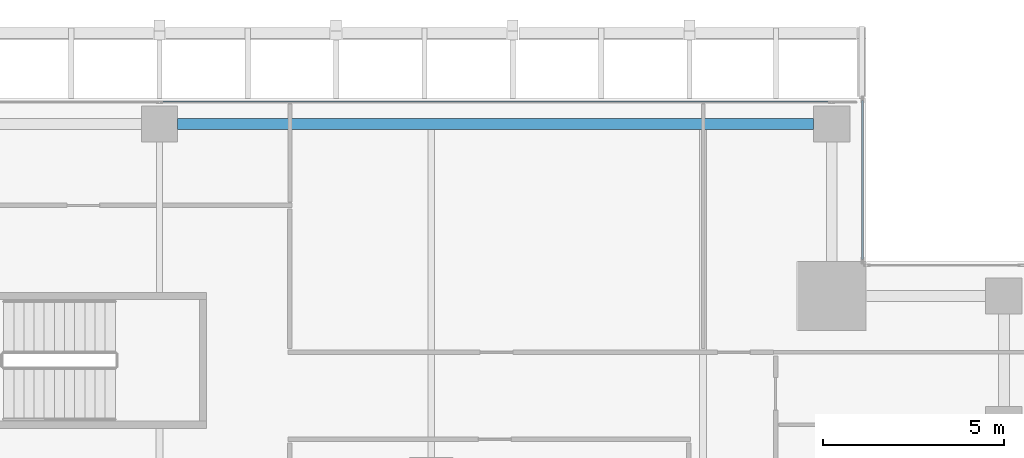
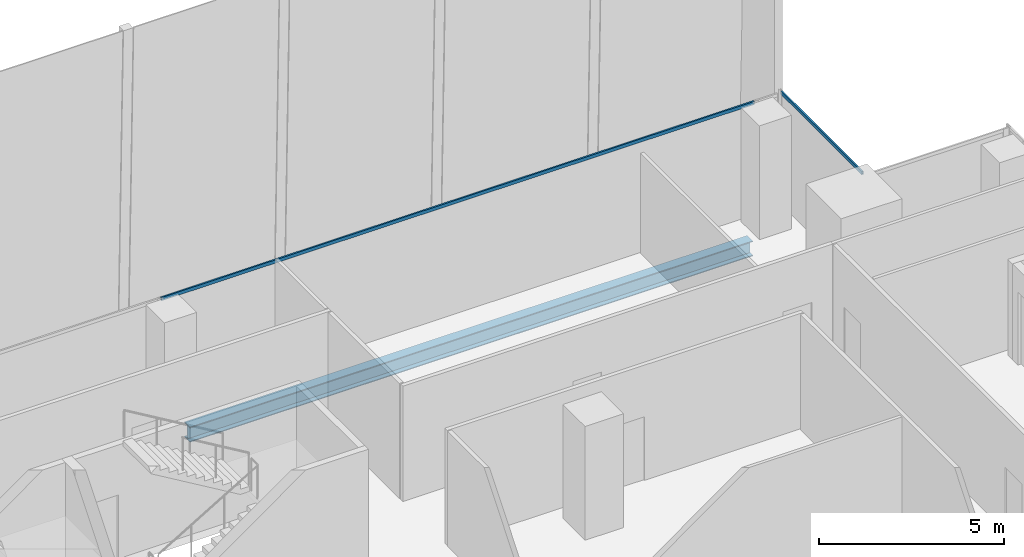
# One storey, part 20 of 35: 2 members, 1 beam, 2 elements without a shape of their own.
"""IFC4 building model written with IfcOpenShell, lengths in metres."""

from ifc_helpers import new_model, si_unit, direction, frame, origin, origin_2d, place, context, subcontext, project, spatial, hollow_rectangle, i_section, extrude, source, transform, mapped, material, material_profile, profile_set, type_object, element, aggregate, save


model = new_model("IFC4")

# Units and contexts
model_context = context("Model", 3, precision=1e-05, world=origin(), true_north=direction((0.0, 1.0)))
body_context = subcontext(model_context, "Body", "Model", "MODEL_VIEW")
ifc_project = project(units=[si_unit("LENGTHUNIT", "METRE"), si_unit("AREAUNIT", "SQUARE_METRE"), si_unit("VOLUMEUNIT", "CUBIC_METRE"), si_unit("PLANEANGLEUNIT", "RADIAN"), si_unit("MASSUNIT", "GRAM", prefix="KILO")], contexts=[model_context])

# Site, building, storey
site_placement = place(None, origin())
site = spatial("IfcSite", under=ifc_project, at=site_placement, CompositionType="ELEMENT")
building_placement = place(site_placement, origin())
building = spatial("IfcBuilding", under=site, at=building_placement, Name="Khomas Fold Tower", CompositionType="ELEMENT")
storey_placement = place(building_placement, frame((0.0, 0.0, 188.699951171875)))
storey = spatial("IfcBuildingStorey", under=building, at=storey_placement, Name="L41", CompositionType="ELEMENT", Elevation=188.699951171875)

# Beam
ifc_material_1 = material(Name="Steel S355", Category="steel")
ifc_material_profile_1 = material_profile(ifc_material_1, i_section(OverallWidth=0.300048828125, OverallDepth=0.5, WebThickness=0.014404296875, FlangeThickness=0.028076171875, at=origin_2d()), Name="HE 500 B")
ifc_profile_set_1 = profile_set([ifc_material_profile_1], Name="Steel S355")
beam_type = type_object("IfcBeamType", Name="HE 500 B spandrel SB3", PredefinedType="SPANDREL", material=ifc_profile_set_1)
shared_shape_1 = source(origin(), body_context, "Body", "SweptSolid", [
    extrude(i_section(OverallWidth=0.300048828125, OverallDepth=0.5, WebThickness=0.014404296875, FlangeThickness=0.028076171875, at=origin_2d()), origin(), (0.0, 0.0, 1.0), 17.550048828125),
])
beam_placement = place(storey_placement, frame((27.5, 50.300048828125, -0.5), z_axis=(1.0, 0.0, 0.0), x_axis=(0.0, 1.0, 0.0)))
element("IfcBeam", 1, at=beam_placement, inside=storey, type_object=beam_type, Name="SB3", PredefinedType="SPANDREL", context=body_context, shape_type="MappedRepresentation", body=[
    mapped(shared_shape_1, transform((0.0, 0.0, 0.0))),
])

# Curtain wall, member
ifc_material_2 = material(Name="Aluminium framed double glazing", Category="aluminium")
curtain_wall_type = type_object("IfcCurtainWallType", Name="SK-Unitised clear-glass wall, office floors CW2", PredefinedType="NOTDEFINED", material=ifc_material_2)
curtain_wall_1_placement = place(storey_placement, origin())
curtain_wall_1 = element("IfcCurtainWall", 2, at=curtain_wall_1_placement, inside=storey, type_object=curtain_wall_type, Name="CW2 corner return L41 05", PredefinedType="NOTDEFINED")
ifc_material_3 = material(Name="Aluminium", Category="aluminium")
ifc_material_profile_2 = material_profile(ifc_material_3, hollow_rectangle(XDim=0.050048828125, YDim=0.110107421875, WallThickness=0.00390625, at=origin_2d()), Name="SK-Unitised clear-glass wall, office floors transom CW2-T")
ifc_profile_set_2 = profile_set([ifc_material_profile_2], Name="Aluminium")
member_type = type_object("IfcMemberType", Name="SK-Unitised clear-glass wall, office floors transom CW2-T", PredefinedType="USERDEFINED", material=ifc_profile_set_2)
shared_shape_2 = source(origin(), body_context, "Body", "SweptSolid", [
    extrude(hollow_rectangle(XDim=0.050048828125, YDim=0.110107421875, WallThickness=0.00390625, at=origin_2d()), origin(), (0.0, 0.0, 1.0), 4.3798828125),
])
member_1_placement = place(storey_placement, frame((46.39990234375, 46.56005859375, 3.695068359375), z_axis=(0.0, 1.0, 0.0), x_axis=(-1.0, 0.0, 0.0)))
member_1 = element("IfcMember", 3, at=member_1_placement, type_object=member_type, Name="CW2 transom 1", ObjectType="TRANSOM", PredefinedType="USERDEFINED", context=body_context, shape_type="MappedRepresentation", body=[
    mapped(shared_shape_2, transform((0.0, 0.0, 0.0))),
])
aggregate(curtain_wall_1, [member_1])

curtain_wall_2_placement = place(storey_placement, origin())
curtain_wall_2 = element("IfcCurtainWall", 4, at=curtain_wall_2_placement, inside=storey, type_object=curtain_wall_type, Name="CW2 run L41 06-0", PredefinedType="NOTDEFINED")
shared_shape_3 = source(origin(), body_context, "Body", "SweptSolid", [
    extrude(hollow_rectangle(XDim=0.050048828125, YDim=0.110107421875, WallThickness=0.00390625, at=origin_2d()), origin(), (0.0, 0.0, 1.0), 18.489990234375),
])
member_2_placement = place(storey_placement, frame((45.52001953125, 50.89990234375, 3.695068359375), z_axis=(-1.0, 0.0, 0.0), x_axis=(0.0, -1.0, 0.0)))
member_2 = element("IfcMember", 5, at=member_2_placement, type_object=member_type, Name="CW2 transom 2", ObjectType="TRANSOM", PredefinedType="USERDEFINED", context=body_context, shape_type="MappedRepresentation", body=[
    mapped(shared_shape_3, transform((0.0, 0.0, 0.0))),
])
aggregate(curtain_wall_2, [member_2])

save(model, "model.ifc")
